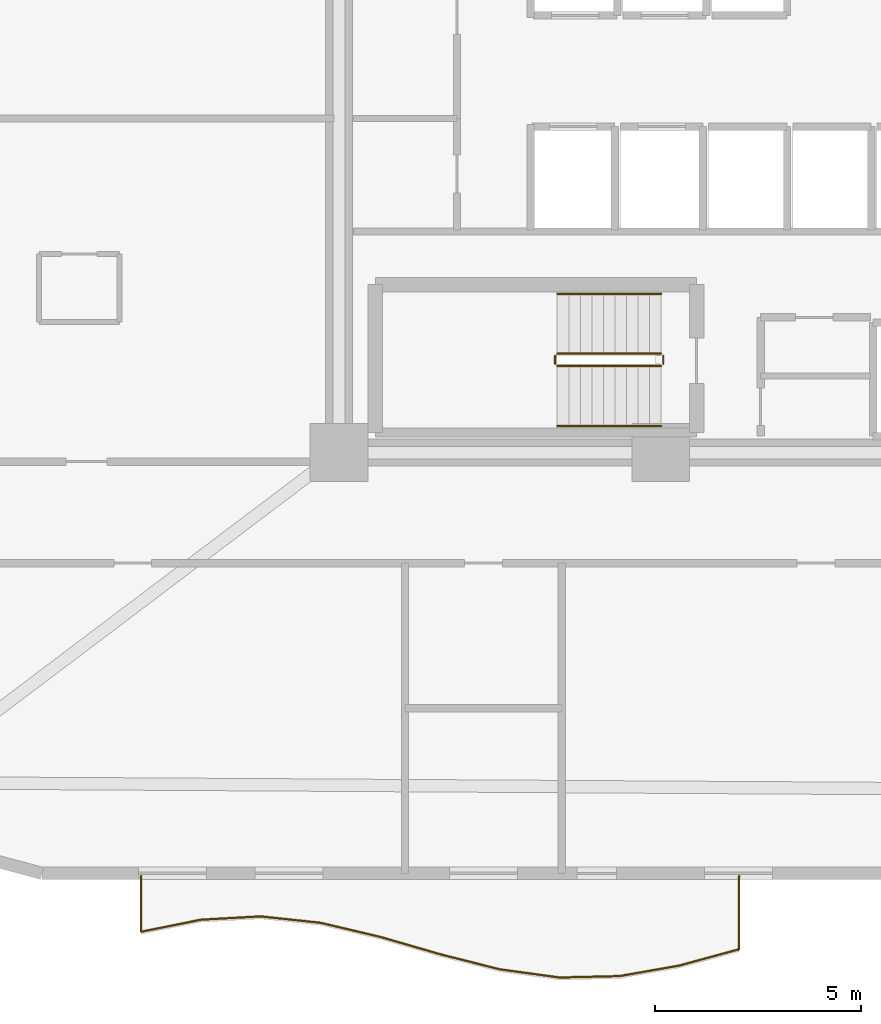
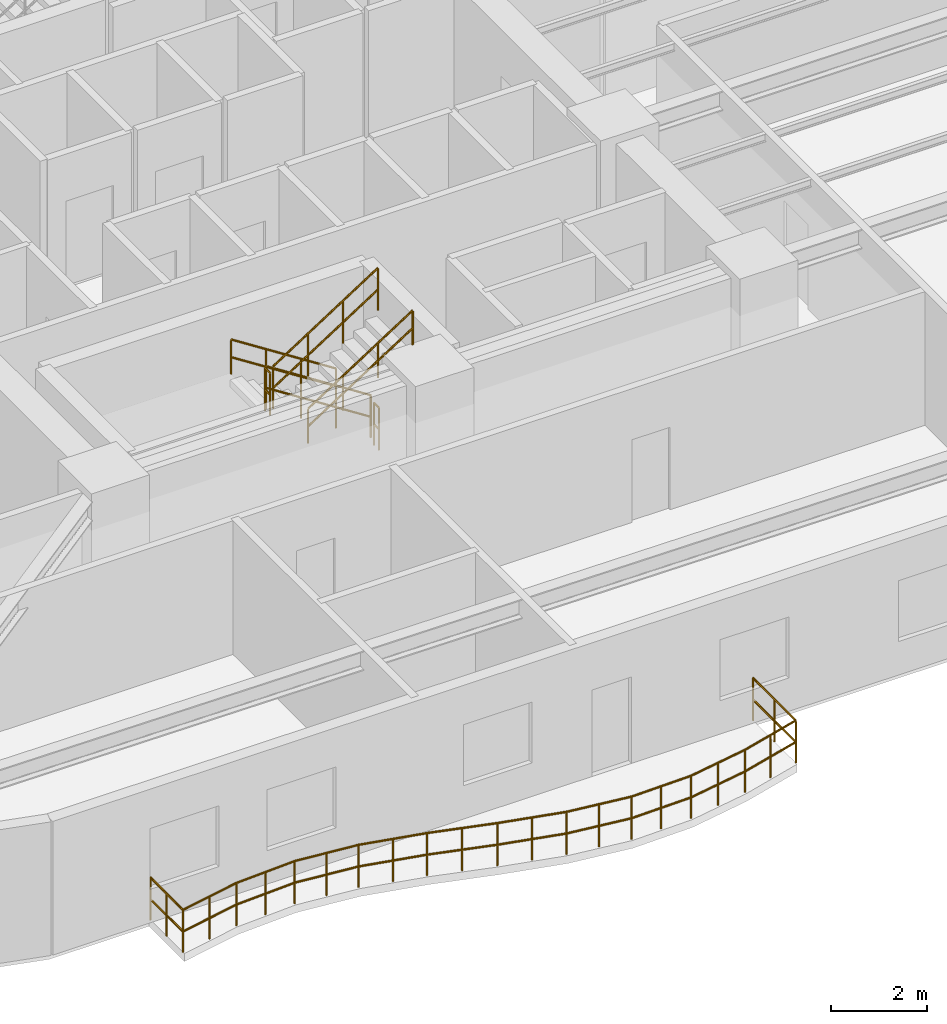
# One storey, part 14 of 16: 7 railings.
"""IFC4 building model written with IfcOpenShell, lengths in metres."""

from ifc_helpers import new_model, si_unit, direction, frame, origin, origin_2d, place, context, subcontext, project, spatial, circle, extrude, material, type_object, element, save


model = new_model("IFC4")

# Units and contexts
model_context = context("Model", 3, precision=1e-05, world=origin(), true_north=direction((0.0, 1.0)))
body_context = subcontext(model_context, "Body", "Model", "MODEL_VIEW")
ifc_project = project(units=[si_unit("LENGTHUNIT", "METRE"), si_unit("AREAUNIT", "SQUARE_METRE"), si_unit("VOLUMEUNIT", "CUBIC_METRE"), si_unit("PLANEANGLEUNIT", "RADIAN"), si_unit("MASSUNIT", "GRAM", prefix="KILO")], contexts=[model_context])

# Site, building, storey
site_placement = place(None, origin())
site = spatial("IfcSite", under=ifc_project, at=site_placement, CompositionType="ELEMENT")
building_placement = place(site_placement, origin())
building = spatial("IfcBuilding", under=site, at=building_placement, Name="An Khanh Terracotta Commons", CompositionType="ELEMENT")
storey_placement = place(building_placement, frame((0.0, 0.0, 107.89990234375)))
storey = spatial("IfcBuildingStorey", under=building, at=storey_placement, Name="L28", CompositionType="ELEMENT", Elevation=107.89990234375)

# Railings
ifc_material_1 = material(Name="Brushed Stainless Steel 316", Category="steel")
railing_type_1 = type_object("IfcRailingType", Name="RAIL-BALUSTRADE-1100", PredefinedType="BALUSTRADE", material=ifc_material_1)
railing_1_placement = place(storey_placement, frame((16.800048828125, 4.139892578125, 0.0)))
element("IfcRailing", 1, at=railing_1_placement, inside=storey, type_object=railing_type_1, Name="L28 S Wave Balcony Guard Balustrade", PredefinedType="BALUSTRADE", context=body_context, shape_type="SweptSolid", body=[
    extrude(circle(Radius=0.02392578125, at=origin_2d()), frame((0.0, 0.0, 1.076171875), z_axis=(0.0, -1.0, 0.0), x_axis=(1.0, 0.0, 0.0)), (0.0, 0.0, 1.0), 1.35498046875),
    extrude(circle(Radius=0.02392578125, at=origin_2d()), frame((0.0, 0.0, 0.52587890625), z_axis=(0.0, -1.0, 0.0), x_axis=(1.0, 0.0, 0.0)), (0.0, 0.0, 1.0), 1.35498046875),
    extrude(circle(Radius=0.02392578125, at=origin_2d()), frame((0.0, -1.35498046875, 1.076171875), z_axis=(0.980447110172, 0.196782784194, 0.0), x_axis=(-0.196782784194, 0.980447110172, 0.0)), (0.0, 0.0, 1.0), 1.478759765625),
    extrude(circle(Radius=0.02392578125, at=origin_2d()), frame((0.0, -1.35498046875, 0.52587890625), z_axis=(0.980447110172, 0.196782784194, 0.0), x_axis=(-0.196782784194, 0.980447110172, 0.0)), (0.0, 0.0, 1.0), 1.478759765625),
    extrude(circle(Radius=0.02392578125, at=origin_2d()), frame((1.449951171875, -1.06396484375, 1.076171875), z_axis=(0.998441154406, 0.05581452488, 0.0), x_axis=(-0.05581452488, 0.998441154406, 0.0)), (0.0, 0.0, 1.0), 1.4521484375),
    extrude(circle(Radius=0.02392578125, at=origin_2d()), frame((1.449951171875, -1.06396484375, 0.52587890625), z_axis=(0.998441154406, 0.05581452488, 0.0), x_axis=(-0.05581452488, 0.998441154406, 0.0)), (0.0, 0.0, 1.0), 1.4521484375),
    extrude(circle(Radius=0.02392578125, at=origin_2d()), frame((2.89990234375, -0.98291015625, 1.076171875), z_axis=(0.994332565033, -0.106314392793, 0.0), x_axis=(0.106314392793, 0.994332565033, 0.0)), (0.0, 0.0, 1.0), 1.458251953125),
    extrude(circle(Radius=0.02392578125, at=origin_2d()), frame((2.89990234375, -0.98291015625, 0.52587890625), z_axis=(0.994332565033, -0.106314392793, 0.0), x_axis=(0.106314392793, 0.994332565033, 0.0)), (0.0, 0.0, 1.0), 1.458251953125),
    extrude(circle(Radius=0.02392578125, at=origin_2d()), frame((4.349853515625, -1.137939453125, 1.076171875), z_axis=(0.973294541331, -0.229559874142, 0.0), x_axis=(0.229559874142, 0.973294541331, 0.0)), (0.0, 0.0, 1.0), 1.489990234375),
    extrude(circle(Radius=0.02392578125, at=origin_2d()), frame((4.349853515625, -1.137939453125, 0.52587890625), z_axis=(0.973294541331, -0.229559874142, 0.0), x_axis=(0.229559874142, 0.973294541331, 0.0)), (0.0, 0.0, 1.0), 1.489990234375),
    extrude(circle(Radius=0.02392578125, at=origin_2d()), frame((5.800048828125, -1.47998046875, 1.076171875), z_axis=(0.960529016595, -0.278179812854, 0.0), x_axis=(0.278179812854, 0.960529016595, 0.0)), (0.0, 0.0, 1.0), 1.509521484375),
    extrude(circle(Radius=0.02392578125, at=origin_2d()), frame((5.800048828125, -1.47998046875, 0.52587890625), z_axis=(0.960529016595, -0.278179812854, 0.0), x_axis=(0.278179812854, 0.960529016595, 0.0)), (0.0, 0.0, 1.0), 1.509521484375),
    extrude(circle(Radius=0.02392578125, at=origin_2d()), frame((7.25, -1.89990234375, 1.076171875), z_axis=(0.969437509306, -0.245338369504, 0.0), x_axis=(0.245338369504, 0.969437509306, 0.0)), (0.0, 0.0, 1.0), 1.49560546875),
    extrude(circle(Radius=0.02392578125, at=origin_2d()), frame((7.25, -1.89990234375, 0.52587890625), z_axis=(0.969437509306, -0.245338369504, 0.0), x_axis=(0.245338369504, 0.969437509306, 0.0)), (0.0, 0.0, 1.0), 1.49560546875),
    extrude(circle(Radius=0.02392578125, at=origin_2d()), frame((8.699951171875, -2.266845703125, 1.076171875), z_axis=(0.990804770711, -0.135299321274, 0.0), x_axis=(0.135299321274, 0.990804770711, 0.0)), (0.0, 0.0, 1.0), 1.46337890625),
    extrude(circle(Radius=0.02392578125, at=origin_2d()), frame((8.699951171875, -2.266845703125, 0.52587890625), z_axis=(0.990804770711, -0.135299321274, 0.0), x_axis=(0.135299321274, 0.990804770711, 0.0)), (0.0, 0.0, 1.0), 1.46337890625),
    extrude(circle(Radius=0.02392578125, at=origin_2d()), frame((10.14990234375, -2.46484375, 1.076171875), z_axis=(0.999710247868, 0.024071150942, 0.0), x_axis=(-0.024071150942, 0.999710247868, 0.0)), (0.0, 0.0, 1.0), 1.450439453125),
    extrude(circle(Radius=0.02392578125, at=origin_2d()), frame((10.14990234375, -2.46484375, 0.52587890625), z_axis=(0.999710247868, 0.024071150942, 0.0), x_axis=(-0.024071150942, 0.999710247868, 0.0)), (0.0, 0.0, 1.0), 1.450439453125),
    extrude(circle(Radius=0.02392578125, at=origin_2d()), frame((11.599853515625, -2.429931640625, 1.076171875), z_axis=(0.984875225589, 0.173265085983, 0.0), x_axis=(-0.173265085983, 0.984875225589, 0.0)), (0.0, 0.0, 1.0), 1.472412109375),
    extrude(circle(Radius=0.02392578125, at=origin_2d()), frame((11.599853515625, -2.429931640625, 0.52587890625), z_axis=(0.984875225589, 0.173265085983, 0.0), x_axis=(-0.173265085983, 0.984875225589, 0.0)), (0.0, 0.0, 1.0), 1.472412109375),
    extrude(circle(Radius=0.02392578125, at=origin_2d()), frame((13.050048828125, -2.1748046875, 1.076171875), z_axis=(0.964670050602, 0.263460990415, 0.0), x_axis=(-0.263460990415, 0.964670050602, 0.0)), (0.0, 0.0, 1.0), 1.503173828125),
    extrude(circle(Radius=0.02392578125, at=origin_2d()), frame((13.050048828125, -2.1748046875, 0.52587890625), z_axis=(0.964670050602, 0.263460990415, 0.0), x_axis=(-0.263460990415, 0.964670050602, 0.0)), (0.0, 0.0, 1.0), 1.503173828125),
    extrude(circle(Radius=0.02392578125, at=origin_2d()), frame((14.5, -1.77880859375, 1.076171875), z_axis=(0.0, 1.0, 0.0), x_axis=(-1.0, 0.0, 0.0)), (0.0, 0.0, 1.0), 1.77880859375),
    extrude(circle(Radius=0.02392578125, at=origin_2d()), frame((14.5, -1.77880859375, 0.52587890625), z_axis=(0.0, 1.0, 0.0), x_axis=(-1.0, 0.0, 0.0)), (0.0, 0.0, 1.0), 1.77880859375),
    extrude(circle(Radius=0.02099609375, at=origin_2d()), origin(), (0.0, 0.0, 1.0), 1.052001953125),
    extrude(circle(Radius=0.02099609375, at=origin_2d()), frame((0.0, -0.677490234375, 0.0)), (0.0, 0.0, 1.0), 1.052001953125),
    extrude(circle(Radius=0.02099609375, at=origin_2d()), frame((0.0, -1.35498046875, 0.0)), (0.0, 0.0, 1.0), 1.052001953125),
    extrude(circle(Radius=0.02099609375, at=origin_2d()), frame((0.72509765625, -1.20947265625, 0.0)), (0.0, 0.0, 1.0), 1.052001953125),
    extrude(circle(Radius=0.02099609375, at=origin_2d()), frame((1.449951171875, -1.06396484375, 0.0)), (0.0, 0.0, 1.0), 1.052001953125),
    extrude(circle(Radius=0.02099609375, at=origin_2d()), frame((2.1748046875, -1.0234375, 0.0)), (0.0, 0.0, 1.0), 1.052001953125),
    extrude(circle(Radius=0.02099609375, at=origin_2d()), frame((2.89990234375, -0.98291015625, 0.0)), (0.0, 0.0, 1.0), 1.052001953125),
    extrude(circle(Radius=0.02099609375, at=origin_2d()), frame((3.625, -1.060546875, 0.0)), (0.0, 0.0, 1.0), 1.052001953125),
    extrude(circle(Radius=0.02099609375, at=origin_2d()), frame((4.349853515625, -1.137939453125, 0.0)), (0.0, 0.0, 1.0), 1.052001953125),
    extrude(circle(Radius=0.02099609375, at=origin_2d()), frame((5.074951171875, -1.30908203125, 0.0)), (0.0, 0.0, 1.0), 1.052001953125),
    extrude(circle(Radius=0.02099609375, at=origin_2d()), frame((5.800048828125, -1.47998046875, 0.0)), (0.0, 0.0, 1.0), 1.052001953125),
    extrude(circle(Radius=0.02099609375, at=origin_2d()), frame((6.52490234375, -1.68994140625, 0.0)), (0.0, 0.0, 1.0), 1.052001953125),
    extrude(circle(Radius=0.02099609375, at=origin_2d()), frame((7.25, -1.89990234375, 0.0)), (0.0, 0.0, 1.0), 1.052001953125),
    extrude(circle(Radius=0.02099609375, at=origin_2d()), frame((7.97509765625, -2.08349609375, 0.0)), (0.0, 0.0, 1.0), 1.052001953125),
    extrude(circle(Radius=0.02099609375, at=origin_2d()), frame((8.699951171875, -2.266845703125, 0.0)), (0.0, 0.0, 1.0), 1.052001953125),
    extrude(circle(Radius=0.02099609375, at=origin_2d()), frame((9.4248046875, -2.36572265625, 0.0)), (0.0, 0.0, 1.0), 1.052001953125),
    extrude(circle(Radius=0.02099609375, at=origin_2d()), frame((10.14990234375, -2.46484375, 0.0)), (0.0, 0.0, 1.0), 1.052001953125),
    extrude(circle(Radius=0.02099609375, at=origin_2d()), frame((10.875, -2.447265625, 0.0)), (0.0, 0.0, 1.0), 1.052001953125),
    extrude(circle(Radius=0.02099609375, at=origin_2d()), frame((11.599853515625, -2.429931640625, 0.0)), (0.0, 0.0, 1.0), 1.052001953125),
    extrude(circle(Radius=0.02099609375, at=origin_2d()), frame((12.324951171875, -2.30224609375, 0.0)), (0.0, 0.0, 1.0), 1.052001953125),
    extrude(circle(Radius=0.02099609375, at=origin_2d()), frame((13.050048828125, -2.1748046875, 0.0)), (0.0, 0.0, 1.0), 1.052001953125),
    extrude(circle(Radius=0.02099609375, at=origin_2d()), frame((13.77490234375, -1.976806640625, 0.0)), (0.0, 0.0, 1.0), 1.052001953125),
    extrude(circle(Radius=0.02099609375, at=origin_2d()), frame((14.5, -1.77880859375, 0.0)), (0.0, 0.0, 1.0), 1.052001953125),
    extrude(circle(Radius=0.02099609375, at=origin_2d()), frame((14.5, -0.889404296875, 0.0)), (0.0, 0.0, 1.0), 1.052001953125),
    extrude(circle(Radius=0.02099609375, at=origin_2d()), frame((14.5, 0.0, 0.0)), (0.0, 0.0, 1.0), 1.052001953125),
])
railing_type_2 = type_object("IfcRailingType", Name="RAIL-HANDRAIL-900", PredefinedType="HANDRAIL", material=ifc_material_1)
railing_2_placement = place(storey_placement, frame((29.409912109375, 18.25, 0.18017578125)))
element("IfcRailing", 2, at=railing_2_placement, inside=storey, type_object=railing_type_2, Name="L28 ST-02 stair handrail 1", PredefinedType="HANDRAIL", context=body_context, shape_type="SweptSolid", body=[
    extrude(circle(Radius=0.02392578125, at=origin_2d()), frame((0.0, 0.0, 0.8759765625), z_axis=(-0.841199657755, 0.0, 0.540724639528), x_axis=(0.0, -1.0, 0.0)), (0.0, 0.0, 1.0), 2.995849609375),
    extrude(circle(Radius=0.02392578125, at=origin_2d()), frame((0.0, 0.0, 0.42578125), z_axis=(-0.841199657755, 0.0, 0.540724639528), x_axis=(0.0, -1.0, 0.0)), (0.0, 0.0, 1.0), 2.995849609375),
    extrude(circle(Radius=0.02099609375, at=origin_2d()), origin(), (0.0, 0.0, 1.0), 0.851806640625),
    extrude(circle(Radius=0.02099609375, at=origin_2d()), frame((-0.840087890625, 0.0, 0.5400390625)), (0.0, 0.0, 1.0), 0.851806640625),
    extrude(circle(Radius=0.02099609375, at=origin_2d()), frame((-1.679931640625, 0.0, 1.079833984375)), (0.0, 0.0, 1.0), 0.851806640625),
    extrude(circle(Radius=0.02099609375, at=origin_2d()), frame((-2.52001953125, 0.0, 1.619873046875)), (0.0, 0.0, 1.0), 0.851806640625),
])
railing_3_placement = place(storey_placement, frame((26.889892578125, 15.050048828125, 1.97998046875)))
element("IfcRailing", 3, at=railing_3_placement, inside=storey, type_object=railing_type_2, Name="L28 ST-02 stair handrail 2", PredefinedType="HANDRAIL", context=body_context, shape_type="SweptSolid", body=[
    extrude(circle(Radius=0.02392578125, at=origin_2d()), frame((0.0, 0.0, 0.8759765625), z_axis=(0.841162588446, 0.0, 0.540782303519), x_axis=(0.0, 1.0, 0.0)), (0.0, 0.0, 1.0), 2.995849609375),
    extrude(circle(Radius=0.02392578125, at=origin_2d()), frame((0.0, 0.0, 0.42578125), z_axis=(0.841162588446, 0.0, 0.540782303519), x_axis=(0.0, 1.0, 0.0)), (0.0, 0.0, 1.0), 2.995849609375),
    extrude(circle(Radius=0.02099609375, at=origin_2d()), origin(), (0.0, 0.0, 1.0), 0.851806640625),
    extrude(circle(Radius=0.02099609375, at=origin_2d()), frame((0.840087890625, 0.0, 0.5400390625)), (0.0, 0.0, 1.0), 0.851806640625),
    extrude(circle(Radius=0.02099609375, at=origin_2d()), frame((1.679931640625, 0.0, 1.080078125)), (0.0, 0.0, 1.0), 0.851806640625),
    extrude(circle(Radius=0.02099609375, at=origin_2d()), frame((2.52001953125, 0.0, 1.6201171875)), (0.0, 0.0, 1.0), 0.851806640625),
])
ifc_material_2 = material(Name="Powder-Coated Steel S355J2", Category="steel")
railing_type_3 = type_object("IfcRailingType", Name="RAIL-STAIR-GUARD-1100", PredefinedType="BALUSTRADE", material=ifc_material_2)
railing_4_placement = place(storey_placement, frame((29.409912109375, 16.800048828125, 0.18017578125)))
element("IfcRailing", 4, at=railing_4_placement, inside=storey, type_object=railing_type_3, Name="L28 ST-02 stair guard 1", PredefinedType="BALUSTRADE", context=body_context, shape_type="SweptSolid", body=[
    extrude(circle(Radius=0.02392578125, at=origin_2d()), frame((0.0, 0.0, 1.076171875), z_axis=(-0.841199657755, 0.0, 0.540724639528), x_axis=(0.0, -1.0, 0.0)), (0.0, 0.0, 1.0), 2.995849609375),
    extrude(circle(Radius=0.02392578125, at=origin_2d()), frame((0.0, 0.0, 0.52587890625), z_axis=(-0.841199657755, 0.0, 0.540724639528), x_axis=(0.0, -1.0, 0.0)), (0.0, 0.0, 1.0), 2.995849609375),
    extrude(circle(Radius=0.02099609375, at=origin_2d()), origin(), (0.0, 0.0, 1.0), 1.052001953125),
    extrude(circle(Radius=0.02099609375, at=origin_2d()), frame((-0.840087890625, 0.0, 0.5400390625)), (0.0, 0.0, 1.0), 1.052001953125),
    extrude(circle(Radius=0.02099609375, at=origin_2d()), frame((-1.679931640625, 0.0, 1.079833984375)), (0.0, 0.0, 1.0), 1.052001953125),
    extrude(circle(Radius=0.02099609375, at=origin_2d()), frame((-2.52001953125, 0.0, 1.619873046875)), (0.0, 0.0, 1.0), 1.052001953125),
])
railing_5_placement = place(storey_placement, frame((26.840087890625, 16.75, 1.800048828125)))
element("IfcRailing", 5, at=railing_5_placement, inside=storey, type_object=railing_type_3, Name="L28 ST-02 stair guard 2", PredefinedType="BALUSTRADE", context=body_context, shape_type="SweptSolid", body=[
    extrude(circle(Radius=0.02392578125, at=origin_2d()), frame((0.0, 0.0, 1.076171875), z_axis=(0.0, -1.0, 0.0), x_axis=(1.0, 0.0, 0.0)), (0.0, 0.0, 1.0), 0.199951171875),
    extrude(circle(Radius=0.02392578125, at=origin_2d()), frame((0.0, 0.0, 0.52587890625), z_axis=(0.0, -1.0, 0.0), x_axis=(1.0, 0.0, 0.0)), (0.0, 0.0, 1.0), 0.199951171875),
    extrude(circle(Radius=0.02099609375, at=origin_2d()), origin(), (0.0, 0.0, 1.0), 1.052001953125),
    extrude(circle(Radius=0.02099609375, at=origin_2d()), frame((0.0, -0.199951171875, 0.0)), (0.0, 0.0, 1.0), 1.052001953125),
])
railing_6_placement = place(storey_placement, frame((26.889892578125, 16.5, 1.97998046875)))
element("IfcRailing", 6, at=railing_6_placement, inside=storey, type_object=railing_type_3, Name="L28 ST-02 stair guard 3", PredefinedType="BALUSTRADE", context=body_context, shape_type="SweptSolid", body=[
    extrude(circle(Radius=0.02392578125, at=origin_2d()), frame((0.0, 0.0, 1.076171875), z_axis=(0.841162588446, 0.0, 0.540782303519), x_axis=(0.0, 1.0, 0.0)), (0.0, 0.0, 1.0), 2.995849609375),
    extrude(circle(Radius=0.02392578125, at=origin_2d()), frame((0.0, 0.0, 0.52587890625), z_axis=(0.841162588446, 0.0, 0.540782303519), x_axis=(0.0, 1.0, 0.0)), (0.0, 0.0, 1.0), 2.995849609375),
    extrude(circle(Radius=0.02099609375, at=origin_2d()), origin(), (0.0, 0.0, 1.0), 1.052001953125),
    extrude(circle(Radius=0.02099609375, at=origin_2d()), frame((0.840087890625, 0.0, 0.5400390625)), (0.0, 0.0, 1.0), 1.052001953125),
    extrude(circle(Radius=0.02099609375, at=origin_2d()), frame((1.679931640625, 0.0, 1.080078125)), (0.0, 0.0, 1.0), 1.052001953125),
    extrude(circle(Radius=0.02099609375, at=origin_2d()), frame((2.52001953125, 0.0, 1.6201171875)), (0.0, 0.0, 1.0), 1.052001953125),
])
railing_7_placement = place(storey_placement, frame((29.4599609375, 16.75, 0.0)))
element("IfcRailing", 7, at=railing_7_placement, inside=storey, type_object=railing_type_3, Name="L28 ST-02 stair guard 4", PredefinedType="BALUSTRADE", context=body_context, shape_type="SweptSolid", body=[
    extrude(circle(Radius=0.02392578125, at=origin_2d()), frame((0.0, 0.0, 1.076171875), z_axis=(0.0, -1.0, 0.0), x_axis=(1.0, 0.0, 0.0)), (0.0, 0.0, 1.0), 0.199951171875),
    extrude(circle(Radius=0.02392578125, at=origin_2d()), frame((0.0, 0.0, 0.52587890625), z_axis=(0.0, -1.0, 0.0), x_axis=(1.0, 0.0, 0.0)), (0.0, 0.0, 1.0), 0.199951171875),
    extrude(circle(Radius=0.02099609375, at=origin_2d()), origin(), (0.0, 0.0, 1.0), 1.052001953125),
    extrude(circle(Radius=0.02099609375, at=origin_2d()), frame((0.0, -0.199951171875, 0.0)), (0.0, 0.0, 1.0), 1.052001953125),
])

save(model, "model.ifc")
